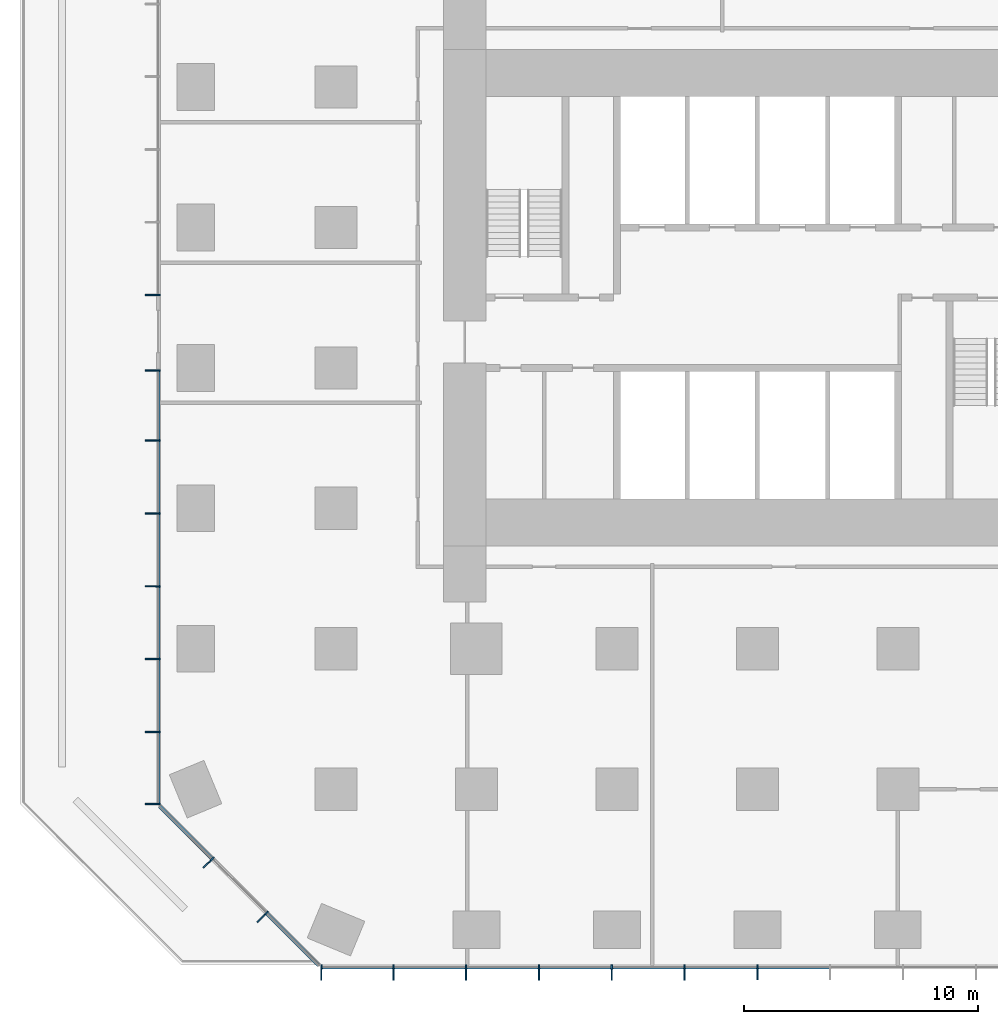
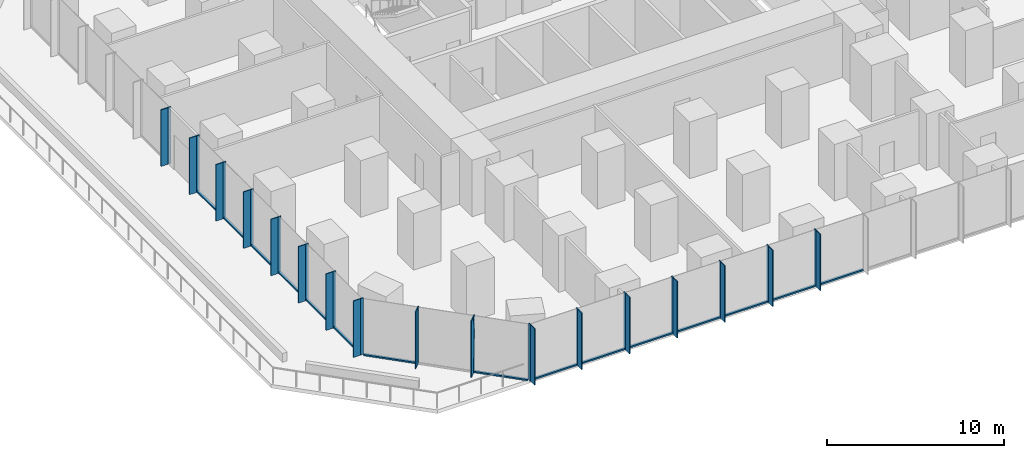
# One storey, part 2 of 12: 49 members, 4 elements without a shape of their own.
"""IFC4 building model written with IfcOpenShell, lengths in metres."""

import ifcopenshell
import ifcopenshell.guid

model = None  # the IFC model being written
_history = None  # IfcOwnerHistory: only IFC2X3 demands one
_inside = {}  # id of a spatial element -> (the spatial element, [elements in it])
_under = {}  # id of a project, library or spatial element -> (it, [spatial elements below it])
_declared = {}  # id of a project -> (the project, [libraries it declares])
_typed = {}  # id of a type object -> (the type object, [elements of that type])
_made_of = {}  # id of a material, layer set ... -> (it, [elements and type objects made of it])


def new_model(schema):
    """Start an empty IFC model of exactly this schema.

    Asked for "IFC4X3", IfcOpenShell would pick the latest addendum, in which some entities
    have other attributes; the version numbers below select the first issue.
    IFC2X3 requires an IfcOwnerHistory on every rooted entity: one is made here for all.
    """
    global model, _history
    if schema == "IFC4X3":
        model = ifcopenshell.file(schema_version=(4, 3, 0, 0))
    else:
        model = ifcopenshell.file(schema=schema)
    _inside.clear()
    _under.clear()
    _declared.clear()
    _typed.clear()
    _made_of.clear()
    _history = None
    if model.schema == "IFC2X3":
        org = make("IfcOrganization", Name="unknown")
        user = make(
            "IfcPersonAndOrganization",
            ThePerson=make("IfcPerson", FamilyName="unknown"),
            TheOrganization=org,
        )
        app = make(
            "IfcApplication",
            ApplicationDeveloper=org,
            Version="unknown",
            ApplicationFullName="unknown",
            ApplicationIdentifier="unknown",
        )
        _history = make(
            "IfcOwnerHistory",
            OwningUser=user,
            OwningApplication=app,
            ChangeAction="ADDED",
            CreationDate=0,
        )
    return model


def make(cls, **values):
    """One entity of the class cls with the attributes given. An attribute that is None is left unset."""
    return model.create_entity(
        cls, **{name: value for name, value in values.items() if value is not None}
    )


def rooted(cls, **values):
    """An entity with a GlobalId (a new one), such as an element, a storey or a relation."""
    return make(cls, GlobalId=ifcopenshell.guid.new(), OwnerHistory=_history, **values)


def si_unit(unit_type, name, prefix=None):
    """IfcSIUnit, for example si_unit("LENGTHUNIT", "METRE", prefix="MILLI")."""
    return make("IfcSIUnit", UnitType=unit_type, Prefix=prefix, Name=name)


def assignment(units):
    """IfcUnitAssignment: the units of a project."""
    return None if units is None else make("IfcUnitAssignment", Units=units)


def point(xyz):
    """IfcCartesianPoint."""
    return None if xyz is None else make("IfcCartesianPoint", Coordinates=xyz)


def direction(xyz):
    """IfcDirection."""
    return None if xyz is None else make("IfcDirection", DirectionRatios=xyz)


def frame(location, z_axis=None, x_axis=None):
    """IfcAxis2Placement3D, a coordinate frame: its origin and axes. An axis left out is left unset."""
    return make(
        "IfcAxis2Placement3D",
        Location=point(location),
        Axis=direction(z_axis),
        RefDirection=direction(x_axis),
    )


def frame_2d(location, x_axis=None):
    """IfcAxis2Placement2D, a coordinate frame in the plane: its origin and x axis."""
    return make(
        "IfcAxis2Placement2D", Location=point(location), RefDirection=direction(x_axis)
    )


def origin():
    """The frame at (0, 0, 0) with its axes left unset."""
    return frame((0.0, 0.0, 0.0))


def origin_2d():
    """The frame at (0, 0) in the plane with its x axis left unset."""
    return frame_2d((0.0, 0.0))


def place(relative_to, where):
    """IfcLocalPlacement: puts the frame where relative to a parent placement (None: the world)."""
    return make(
        "IfcLocalPlacement", PlacementRelTo=relative_to, RelativePlacement=where
    )


def context(
    kind, dimensions, precision=None, world=None, true_north=None, identifier=None
):
    """IfcGeometricRepresentationContext, for example the 3D "Model" context."""
    return make(
        "IfcGeometricRepresentationContext",
        ContextIdentifier=identifier,
        ContextType=kind,
        CoordinateSpaceDimension=dimensions,
        Precision=precision,
        WorldCoordinateSystem=world,
        TrueNorth=true_north,
    )


def subcontext(parent, identifier, kind, view, scale=None):
    """IfcGeometricRepresentationSubContext, for example "Body" below "Model"."""
    return make(
        "IfcGeometricRepresentationSubContext",
        ContextIdentifier=identifier,
        ContextType=kind,
        ParentContext=parent,
        TargetScale=scale,
        TargetView=view,
    )


def project(units=None, contexts=None):
    """IfcProject with its units and contexts."""
    return rooted(
        "IfcProject",
        Name="project",
        RepresentationContexts=contexts,
        UnitsInContext=assignment(units),
    )


def spatial(cls, under=None, at=None, **own):
    """A site, building, storey or space (cls), placed at a placement, below another one or the project."""
    s = rooted(cls, ObjectPlacement=at, **own)
    if under is not None:
        _under.setdefault(under.id(), (under, []))[1].append(s)
    return s


def profile(cls, at=None, kind="AREA", **sizes):
    """A parametric profile (cls). Its sizes go by their IFC names, for example OverallWidth=200.0."""
    return make(cls, ProfileType=kind, Position=at, **sizes)


def rectangle(**sizes):
    """IfcRectangleProfileDef."""
    return profile("IfcRectangleProfileDef", **sizes)


def extrude(swept, where, along, depth):
    """IfcExtrudedAreaSolid: the profile swept, set in the frame where, extruded along a direction by depth."""
    return make(
        "IfcExtrudedAreaSolid",
        SweptArea=swept,
        Position=where,
        ExtrudedDirection=direction(along),
        Depth=depth,
    )


def shape(context_of_items, identifier, shape_type, items):
    """IfcShapeRepresentation: the items that make up one representation, for example the "Body"."""
    return make(
        "IfcShapeRepresentation",
        ContextOfItems=context_of_items,
        RepresentationIdentifier=identifier,
        RepresentationType=shape_type,
        Items=items,
    )


def material(Name=None, Category=None):
    """IfcMaterial."""
    return make("IfcMaterial", Name=Name, Category=Category)


def layer(
    of_material, thickness, ventilated=None, Name=None, Category=None, Priority=None
):
    """IfcMaterialLayer: one layer of a wall or slab, of a material (None: an air gap)."""
    return make(
        "IfcMaterialLayer",
        Material=of_material,
        LayerThickness=thickness,
        IsVentilated=ventilated,
        Name=Name,
        Category=Category,
        Priority=Priority,
    )


def layer_set(layers, Name=None):
    """IfcMaterialLayerSet."""
    return make("IfcMaterialLayerSet", MaterialLayers=layers, LayerSetName=Name)


def material_profile(
    of_material, cross_section, Name=None, Category=None, Priority=None
):
    """IfcMaterialProfile: a cross section and its material."""
    return make(
        "IfcMaterialProfile",
        Name=Name,
        Material=of_material,
        Profile=cross_section,
        Priority=Priority,
        Category=Category,
    )


def profile_set(profiles, Name=None, composite=None):
    """IfcMaterialProfileSet."""
    return make(
        "IfcMaterialProfileSet",
        Name=Name,
        MaterialProfiles=profiles,
        CompositeProfile=composite,
    )


def made_of(thing, what):
    """Note that an element or type object is made of a material, layer set ...; save() writes the relation."""
    if what is not None:
        _made_of.setdefault(what.id(), (what, []))[1].append(thing)
    return thing


def type_object(cls, material=None, **own):
    """A type object (cls), such as IfcWallType, which elements share."""
    return made_of(rooted(cls, **own), material)


def element(
    cls,
    number,
    at=None,
    inside=None,
    cuts=None,
    type_object=None,
    material=None,
    context=None,
    identifier="Body",
    shape_type=None,
    held_by="IfcProductDefinitionShape",
    body=None,
    shapes=None,
    **own,
):
    """One element of the class cls, such as IfcWall. Its Tag is "e" and its number.

    at: its placement. inside: the storey or other place that contains it. cuts: it is an
    opening in that element (IfcRelVoidsElement). A single representation is given by context,
    identifier, shape_type and body (its items); several are given by shapes. held_by: the class
    of the entity that holds the representations. save() writes the other relations.
    """
    e = rooted(cls, Tag="e%d" % number, ObjectPlacement=at, **own)
    if body is not None:
        shapes = [shape(context, identifier, shape_type, body)]
    if shapes is not None:
        e.Representation = make(held_by, Representations=shapes)
    if inside is not None:
        _inside.setdefault(inside.id(), (inside, []))[1].append(e)
    if cuts is not None:
        rooted(
            "IfcRelVoidsElement", RelatingBuildingElement=cuts, RelatedOpeningElement=e
        )
    if type_object is not None:
        _typed.setdefault(type_object.id(), (type_object, []))[1].append(e)
    return made_of(e, material)


def aggregate(whole, parts):
    """IfcRelAggregates: a whole, such as a stair, and the parts it consists of."""
    return rooted("IfcRelAggregates", RelatingObject=whole, RelatedObjects=parts)


def save(model, path):
    """Write the relations noted so far, then the file.

    IfcRelAggregates (storeys below a building ...), IfcRelContainedInSpatialStructure (elements
    in a storey), IfcRelDefinesByType, IfcRelAssociatesMaterial and IfcRelDeclares: one each for
    every whole, place, type object, material and project.
    """
    for whole, parts in _under.values():
        aggregate(whole, parts)
    for where, things in _inside.values():
        rooted(
            "IfcRelContainedInSpatialStructure",
            RelatedElements=things,
            RelatingStructure=where,
        )
    for kind, things in _typed.values():
        rooted("IfcRelDefinesByType", RelatedObjects=things, RelatingType=kind)
    for what, things in _made_of.values():
        rooted("IfcRelAssociatesMaterial", RelatedObjects=things, RelatingMaterial=what)
    for by, libraries in _declared.values():
        rooted("IfcRelDeclares", RelatingContext=by, RelatedDefinitions=libraries)
    model.write(path)


model = new_model("IFC4")

# Units and contexts
model_context = context("Model", 3, precision=1e-05, world=origin(), true_north=direction((0.0, 1.0)))
body_context = subcontext(model_context, "Body", "Model", "MODEL_VIEW")
ifc_project = project(units=[si_unit("LENGTHUNIT", "METRE"), si_unit("AREAUNIT", "SQUARE_METRE"), si_unit("VOLUMEUNIT", "CUBIC_METRE"), si_unit("PLANEANGLEUNIT", "RADIAN"), si_unit("MASSUNIT", "GRAM", prefix="KILO")], contexts=[model_context])

# Site, building, storey
site_placement = place(None, origin())
site = spatial("IfcSite", under=ifc_project, at=site_placement, CompositionType="ELEMENT")
building_placement = place(site_placement, origin())
building = spatial("IfcBuilding", under=site, at=building_placement, Name="Highveld Stack Headquarters", CompositionType="ELEMENT")
storey_placement = place(building_placement, frame((0.0, 0.0, 41.60009765625)))
storey = spatial("IfcBuildingStorey", under=building, at=storey_placement, Name="L09", CompositionType="ELEMENT", Elevation=41.60009765625)

# Curtain wall, members
ifc_material_1 = material(Name="Aluminium bronze anodised", Category="aluminium")
ifc_layer_1 = layer(ifc_material_1, 0.199951171875)
ifc_layer_set_1 = layer_set([ifc_layer_1], Name="Aluminium bronze anodised")
curtain_wall_type_1 = type_object("IfcCurtainWallType", Name="CW1 TOWER UNITISED CURTAIN WALL", PredefinedType="NOTDEFINED", material=ifc_layer_set_1)
curtain_wall_1_placement = place(storey_placement, origin())
curtain_wall_1 = element("IfcCurtainWall", 1, at=curtain_wall_1_placement, inside=storey, type_object=curtain_wall_type_1, Name="Curtain wall CW1 L09 S", PredefinedType="NOTDEFINED")
ifc_material_2 = material(Name="Aluminium bronze anodised", Category="aluminium")
ifc_material_profile_1 = material_profile(ifc_material_2, rectangle(XDim=0.449951171875, YDim=0.06005859375, at=origin_2d()), Name="FIN 450x60")
ifc_profile_set_1 = profile_set([ifc_material_profile_1], Name="Aluminium bronze anodised")
member_type_1 = type_object("IfcMemberType", Name="CW1 BRONZE FIN 450x60", PredefinedType="USERDEFINED", material=ifc_profile_set_1)
member_1_placement = place(storey_placement, frame((-12.630126953125, -25.925048828125, 0.0), z_axis=(0.0, 0.0, 1.0), x_axis=(0.0, 1.0, 0.0)))
member_1 = element("IfcMember", 2, at=member_1_placement, type_object=member_type_1, Name="CW1 fin L09 1", ObjectType="FIN", PredefinedType="USERDEFINED", context=body_context, shape_type="SweptSolid", body=[
    extrude(rectangle(XDim=0.449951171875, YDim=0.06005859375, at=origin_2d()), origin(), (0.0, 0.0, 1.0), 3.89990234375),
])
member_2_placement = place(storey_placement, frame((-9.55224609375, -25.925048828125, 0.0), z_axis=(0.0, 0.0, 1.0), x_axis=(0.0, 1.0, 0.0)))
member_2 = element("IfcMember", 3, at=member_2_placement, type_object=member_type_1, Name="CW1 fin L09 2", ObjectType="FIN", PredefinedType="USERDEFINED", context=body_context, shape_type="SweptSolid", body=[
    extrude(rectangle(XDim=0.449951171875, YDim=0.06005859375, at=origin_2d()), origin(), (0.0, 0.0, 1.0), 3.89990234375),
])
member_3_placement = place(storey_placement, frame((-6.44189453125, -25.925048828125, 0.0), z_axis=(0.0, 0.0, 1.0), x_axis=(0.0, 1.0, 0.0)))
member_3 = element("IfcMember", 4, at=member_3_placement, type_object=member_type_1, Name="CW1 fin L09 3", ObjectType="FIN", PredefinedType="USERDEFINED", context=body_context, shape_type="SweptSolid", body=[
    extrude(rectangle(XDim=0.449951171875, YDim=0.06005859375, at=origin_2d()), origin(), (0.0, 0.0, 1.0), 3.89990234375),
])
member_4_placement = place(storey_placement, frame((-3.331298828125, -25.925048828125, 0.0), z_axis=(0.0, 0.0, 1.0), x_axis=(0.0, 1.0, 0.0)))
member_4 = element("IfcMember", 5, at=member_4_placement, type_object=member_type_1, Name="CW1 fin L09 4", ObjectType="FIN", PredefinedType="USERDEFINED", context=body_context, shape_type="SweptSolid", body=[
    extrude(rectangle(XDim=0.449951171875, YDim=0.06005859375, at=origin_2d()), origin(), (0.0, 0.0, 1.0), 3.89990234375),
])
member_5_placement = place(storey_placement, frame((-0.220947265625, -25.925048828125, 0.0), z_axis=(0.0, 0.0, 1.0), x_axis=(0.0, 1.0, 0.0)))
member_5 = element("IfcMember", 6, at=member_5_placement, type_object=member_type_1, Name="CW1 fin L09 5", ObjectType="FIN", PredefinedType="USERDEFINED", context=body_context, shape_type="SweptSolid", body=[
    extrude(rectangle(XDim=0.449951171875, YDim=0.06005859375, at=origin_2d()), origin(), (0.0, 0.0, 1.0), 3.89990234375),
])
member_6_placement = place(storey_placement, frame((2.8896484375, -25.925048828125, 0.0), z_axis=(0.0, 0.0, 1.0), x_axis=(0.0, 1.0, 0.0)))
member_6 = element("IfcMember", 7, at=member_6_placement, type_object=member_type_1, Name="CW1 fin L09 6", ObjectType="FIN", PredefinedType="USERDEFINED", context=body_context, shape_type="SweptSolid", body=[
    extrude(rectangle(XDim=0.449951171875, YDim=0.06005859375, at=origin_2d()), origin(), (0.0, 0.0, 1.0), 3.89990234375),
])
member_7_placement = place(storey_placement, frame((6.0, -25.925048828125, 0.0), z_axis=(0.0, 0.0, 1.0), x_axis=(0.0, 1.0, 0.0)))
member_7 = element("IfcMember", 8, at=member_7_placement, type_object=member_type_1, Name="CW1 fin L09 7", ObjectType="FIN", PredefinedType="USERDEFINED", context=body_context, shape_type="SweptSolid", body=[
    extrude(rectangle(XDim=0.449951171875, YDim=0.06005859375, at=origin_2d()), origin(), (0.0, 0.0, 1.0), 3.89990234375),
])

# Curtain wall, member
curtain_wall_2_placement = place(storey_placement, origin())
curtain_wall_2 = element("IfcCurtainWall", 9, at=curtain_wall_2_placement, inside=storey, type_object=curtain_wall_type_1, Name="Curtain wall CW1 L09 W-1", PredefinedType="NOTDEFINED")
member_8_placement = place(storey_placement, frame((-19.925048828125, 3.110595703125, 0.0), z_axis=(0.0, 0.0, 1.0), x_axis=(1.0, 0.0, 0.0)))
member_8 = element("IfcMember", 10, at=member_8_placement, type_object=member_type_1, Name="CW1 fin L09 6", ObjectType="FIN", PredefinedType="USERDEFINED", context=body_context, shape_type="SweptSolid", body=[
    extrude(rectangle(XDim=0.449951171875, YDim=0.06005859375, at=origin_2d()), origin(), (0.0, 0.0, 1.0), 3.89990234375),
])

# Curtain wall, members
curtain_wall_3_placement = place(storey_placement, origin())
curtain_wall_3 = element("IfcCurtainWall", 11, at=curtain_wall_3_placement, inside=storey, type_object=curtain_wall_type_1, Name="Curtain wall CW1 L09 W-2", PredefinedType="NOTDEFINED")
member_9_placement = place(storey_placement, frame((-19.925048828125, -0.107421875, 0.0), z_axis=(0.0, 0.0, 1.0), x_axis=(1.0, 0.0, 0.0)))
member_9 = element("IfcMember", 12, at=member_9_placement, type_object=member_type_1, Name="CW1 fin L09 1", ObjectType="FIN", PredefinedType="USERDEFINED", context=body_context, shape_type="SweptSolid", body=[
    extrude(rectangle(XDim=0.449951171875, YDim=0.06005859375, at=origin_2d()), origin(), (0.0, 0.0, 1.0), 3.89990234375),
])
member_10_placement = place(storey_placement, frame((-19.925048828125, -3.110595703125, 0.0), z_axis=(0.0, 0.0, 1.0), x_axis=(1.0, 0.0, 0.0)))
member_10 = element("IfcMember", 13, at=member_10_placement, type_object=member_type_1, Name="CW1 fin L09 2", ObjectType="FIN", PredefinedType="USERDEFINED", context=body_context, shape_type="SweptSolid", body=[
    extrude(rectangle(XDim=0.449951171875, YDim=0.06005859375, at=origin_2d()), origin(), (0.0, 0.0, 1.0), 3.89990234375),
])
member_11_placement = place(storey_placement, frame((-19.925048828125, -6.220947265625, 0.0), z_axis=(0.0, 0.0, 1.0), x_axis=(1.0, 0.0, 0.0)))
member_11 = element("IfcMember", 14, at=member_11_placement, type_object=member_type_1, Name="CW1 fin L09 3", ObjectType="FIN", PredefinedType="USERDEFINED", context=body_context, shape_type="SweptSolid", body=[
    extrude(rectangle(XDim=0.449951171875, YDim=0.06005859375, at=origin_2d()), origin(), (0.0, 0.0, 1.0), 3.89990234375),
])
member_12_placement = place(storey_placement, frame((-19.925048828125, -9.331298828125, 0.0), z_axis=(0.0, 0.0, 1.0), x_axis=(1.0, 0.0, 0.0)))
member_12 = element("IfcMember", 15, at=member_12_placement, type_object=member_type_1, Name="CW1 fin L09 4", ObjectType="FIN", PredefinedType="USERDEFINED", context=body_context, shape_type="SweptSolid", body=[
    extrude(rectangle(XDim=0.449951171875, YDim=0.06005859375, at=origin_2d()), origin(), (0.0, 0.0, 1.0), 3.89990234375),
])
member_13_placement = place(storey_placement, frame((-19.925048828125, -12.44189453125, 0.0), z_axis=(0.0, 0.0, 1.0), x_axis=(1.0, 0.0, 0.0)))
member_13 = element("IfcMember", 16, at=member_13_placement, type_object=member_type_1, Name="CW1 fin L09 5", ObjectType="FIN", PredefinedType="USERDEFINED", context=body_context, shape_type="SweptSolid", body=[
    extrude(rectangle(XDim=0.449951171875, YDim=0.06005859375, at=origin_2d()), origin(), (0.0, 0.0, 1.0), 3.89990234375),
])
member_14_placement = place(storey_placement, frame((-19.925048828125, -15.55224609375, 0.0), z_axis=(0.0, 0.0, 1.0), x_axis=(1.0, 0.0, 0.0)))
member_14 = element("IfcMember", 17, at=member_14_placement, type_object=member_type_1, Name="CW1 fin L09 6", ObjectType="FIN", PredefinedType="USERDEFINED", context=body_context, shape_type="SweptSolid", body=[
    extrude(rectangle(XDim=0.449951171875, YDim=0.06005859375, at=origin_2d()), origin(), (0.0, 0.0, 1.0), 3.89990234375),
])
member_15_placement = place(storey_placement, frame((-19.925048828125, -18.630126953125, 0.0), z_axis=(0.0, 0.0, 1.0), x_axis=(1.0, 0.0, 0.0)))
member_15 = element("IfcMember", 18, at=member_15_placement, type_object=member_type_1, Name="CW1 fin L09 7", ObjectType="FIN", PredefinedType="USERDEFINED", context=body_context, shape_type="SweptSolid", body=[
    extrude(rectangle(XDim=0.449951171875, YDim=0.06005859375, at=origin_2d()), origin(), (0.0, 0.0, 1.0), 3.89990234375),
])

# Member
ifc_material_3 = material(Name="Aluminium bronze anodised", Category="aluminium")
ifc_material_profile_2 = material_profile(ifc_material_3, rectangle(XDim=0.199951171875, YDim=0.06494140625, at=origin_2d()), Name="CW1 MULLION 65x200")
ifc_profile_set_2 = profile_set([ifc_material_profile_2], Name="Aluminium bronze anodised")
member_type_2 = type_object("IfcMemberType", Name="CW1 MULLION 65x200", PredefinedType="MULLION", material=ifc_profile_set_2)
member_16_placement = place(storey_placement, frame((-12.630126953125, -25.60009765625, 0.0), z_axis=(0.0, 0.0, 1.0), x_axis=(0.0, 1.0, 0.0)))
member_16 = element("IfcMember", 19, at=member_16_placement, type_object=member_type_2, Name="CW1 mullion L09 1", PredefinedType="MULLION", context=body_context, shape_type="SweptSolid", body=[
    extrude(rectangle(XDim=0.199951171875, YDim=0.06494140625, at=origin_2d()), origin(), (0.0, 0.0, 1.0), 3.89990234375),
])

member_17_placement = place(storey_placement, frame((-9.55224609375, -25.60009765625, 0.0), z_axis=(0.0, 0.0, 1.0), x_axis=(0.0, 1.0, 0.0)))
member_17 = element("IfcMember", 20, at=member_17_placement, type_object=member_type_2, Name="CW1 mullion L09 2", PredefinedType="MULLION", context=body_context, shape_type="SweptSolid", body=[
    extrude(rectangle(XDim=0.199951171875, YDim=0.06494140625, at=origin_2d()), origin(), (0.0, 0.0, 1.0), 3.89990234375),
])

member_18_placement = place(storey_placement, frame((-6.44189453125, -25.60009765625, 0.0), z_axis=(0.0, 0.0, 1.0), x_axis=(0.0, 1.0, 0.0)))
member_18 = element("IfcMember", 21, at=member_18_placement, type_object=member_type_2, Name="CW1 mullion L09 3", PredefinedType="MULLION", context=body_context, shape_type="SweptSolid", body=[
    extrude(rectangle(XDim=0.199951171875, YDim=0.06494140625, at=origin_2d()), origin(), (0.0, 0.0, 1.0), 3.89990234375),
])

member_19_placement = place(storey_placement, frame((-3.331298828125, -25.60009765625, 0.0), z_axis=(0.0, 0.0, 1.0), x_axis=(0.0, 1.0, 0.0)))
member_19 = element("IfcMember", 22, at=member_19_placement, type_object=member_type_2, Name="CW1 mullion L09 4", PredefinedType="MULLION", context=body_context, shape_type="SweptSolid", body=[
    extrude(rectangle(XDim=0.199951171875, YDim=0.06494140625, at=origin_2d()), origin(), (0.0, 0.0, 1.0), 3.89990234375),
])

member_20_placement = place(storey_placement, frame((-0.220947265625, -25.60009765625, 0.0), z_axis=(0.0, 0.0, 1.0), x_axis=(0.0, 1.0, 0.0)))
member_20 = element("IfcMember", 23, at=member_20_placement, type_object=member_type_2, Name="CW1 mullion L09 5", PredefinedType="MULLION", context=body_context, shape_type="SweptSolid", body=[
    extrude(rectangle(XDim=0.199951171875, YDim=0.06494140625, at=origin_2d()), origin(), (0.0, 0.0, 1.0), 3.89990234375),
])

member_21_placement = place(storey_placement, frame((2.8896484375, -25.60009765625, 0.0), z_axis=(0.0, 0.0, 1.0), x_axis=(0.0, 1.0, 0.0)))
member_21 = element("IfcMember", 24, at=member_21_placement, type_object=member_type_2, Name="CW1 mullion L09 6", PredefinedType="MULLION", context=body_context, shape_type="SweptSolid", body=[
    extrude(rectangle(XDim=0.199951171875, YDim=0.06494140625, at=origin_2d()), origin(), (0.0, 0.0, 1.0), 3.89990234375),
])

member_22_placement = place(storey_placement, frame((6.0, -25.60009765625, 0.0), z_axis=(0.0, 0.0, 1.0), x_axis=(0.0, 1.0, 0.0)))
member_22 = element("IfcMember", 25, at=member_22_placement, type_object=member_type_2, Name="CW1 mullion L09 7", PredefinedType="MULLION", context=body_context, shape_type="SweptSolid", body=[
    extrude(rectangle(XDim=0.199951171875, YDim=0.06494140625, at=origin_2d()), origin(), (0.0, 0.0, 1.0), 3.89990234375),
])

member_23_placement = place(storey_placement, frame((-19.60009765625, 3.110595703125, 0.0), z_axis=(0.0, 0.0, 1.0), x_axis=(1.0, 0.0, 0.0)))
member_23 = element("IfcMember", 26, at=member_23_placement, type_object=member_type_2, Name="CW1 mullion L09 6", PredefinedType="MULLION", context=body_context, shape_type="SweptSolid", body=[
    extrude(rectangle(XDim=0.199951171875, YDim=0.06494140625, at=origin_2d()), origin(), (0.0, 0.0, 1.0), 3.89990234375),
])

aggregate(curtain_wall_2, [member_23, member_8])

member_24_placement = place(storey_placement, frame((-19.60009765625, -0.107421875, 0.0), z_axis=(0.0, 0.0, 1.0), x_axis=(1.0, 0.0, 0.0)))
member_24 = element("IfcMember", 27, at=member_24_placement, type_object=member_type_2, Name="CW1 mullion L09 1", PredefinedType="MULLION", context=body_context, shape_type="SweptSolid", body=[
    extrude(rectangle(XDim=0.199951171875, YDim=0.06494140625, at=origin_2d()), origin(), (0.0, 0.0, 1.0), 3.89990234375),
])

member_25_placement = place(storey_placement, frame((-19.60009765625, -3.110595703125, 0.0), z_axis=(0.0, 0.0, 1.0), x_axis=(1.0, 0.0, 0.0)))
member_25 = element("IfcMember", 28, at=member_25_placement, type_object=member_type_2, Name="CW1 mullion L09 2", PredefinedType="MULLION", context=body_context, shape_type="SweptSolid", body=[
    extrude(rectangle(XDim=0.199951171875, YDim=0.06494140625, at=origin_2d()), origin(), (0.0, 0.0, 1.0), 3.89990234375),
])

member_26_placement = place(storey_placement, frame((-19.60009765625, -6.220947265625, 0.0), z_axis=(0.0, 0.0, 1.0), x_axis=(1.0, 0.0, 0.0)))
member_26 = element("IfcMember", 29, at=member_26_placement, type_object=member_type_2, Name="CW1 mullion L09 3", PredefinedType="MULLION", context=body_context, shape_type="SweptSolid", body=[
    extrude(rectangle(XDim=0.199951171875, YDim=0.06494140625, at=origin_2d()), origin(), (0.0, 0.0, 1.0), 3.89990234375),
])

member_27_placement = place(storey_placement, frame((-19.60009765625, -9.331298828125, 0.0), z_axis=(0.0, 0.0, 1.0), x_axis=(1.0, 0.0, 0.0)))
member_27 = element("IfcMember", 30, at=member_27_placement, type_object=member_type_2, Name="CW1 mullion L09 4", PredefinedType="MULLION", context=body_context, shape_type="SweptSolid", body=[
    extrude(rectangle(XDim=0.199951171875, YDim=0.06494140625, at=origin_2d()), origin(), (0.0, 0.0, 1.0), 3.89990234375),
])

member_28_placement = place(storey_placement, frame((-19.60009765625, -12.44189453125, 0.0), z_axis=(0.0, 0.0, 1.0), x_axis=(1.0, 0.0, 0.0)))
member_28 = element("IfcMember", 31, at=member_28_placement, type_object=member_type_2, Name="CW1 mullion L09 5", PredefinedType="MULLION", context=body_context, shape_type="SweptSolid", body=[
    extrude(rectangle(XDim=0.199951171875, YDim=0.06494140625, at=origin_2d()), origin(), (0.0, 0.0, 1.0), 3.89990234375),
])

member_29_placement = place(storey_placement, frame((-19.60009765625, -15.55224609375, 0.0), z_axis=(0.0, 0.0, 1.0), x_axis=(1.0, 0.0, 0.0)))
member_29 = element("IfcMember", 32, at=member_29_placement, type_object=member_type_2, Name="CW1 mullion L09 6", PredefinedType="MULLION", context=body_context, shape_type="SweptSolid", body=[
    extrude(rectangle(XDim=0.199951171875, YDim=0.06494140625, at=origin_2d()), origin(), (0.0, 0.0, 1.0), 3.89990234375),
])

member_30_placement = place(storey_placement, frame((-19.60009765625, -18.630126953125, 0.0), z_axis=(0.0, 0.0, 1.0), x_axis=(1.0, 0.0, 0.0)))
member_30 = element("IfcMember", 33, at=member_30_placement, type_object=member_type_2, Name="CW1 mullion L09 7", PredefinedType="MULLION", context=body_context, shape_type="SweptSolid", body=[
    extrude(rectangle(XDim=0.199951171875, YDim=0.06494140625, at=origin_2d()), origin(), (0.0, 0.0, 1.0), 3.89990234375),
])

ifc_material_4 = material(Name="Aluminium bronze anodised", Category="aluminium")
ifc_material_profile_3 = material_profile(ifc_material_4, rectangle(XDim=0.14990234375, YDim=0.10009765625, at=origin_2d()), Name="CW1 TRANSOM 150x100")
ifc_profile_set_3 = profile_set([ifc_material_profile_3], Name="Aluminium bronze anodised")
member_type_3 = type_object("IfcMemberType", Name="CW1 STACK TRANSOM 150x100", PredefinedType="USERDEFINED", material=ifc_profile_set_3)
member_31_placement = place(storey_placement, frame((-12.59765625, -25.60009765625, 0.0498046875), z_axis=(1.0, 0.0, 0.0), x_axis=(0.0, 1.0, 0.0)))
member_31 = element("IfcMember", 34, at=member_31_placement, type_object=member_type_3, Name="CW1 transom L09 1.1", ObjectType="TRANSOM", PredefinedType="USERDEFINED", context=body_context, shape_type="SweptSolid", body=[
    extrude(rectangle(XDim=0.14990234375, YDim=0.10009765625, at=origin_2d()), origin(), (0.0, 0.0, 1.0), 3.012939453125),
])

member_32_placement = place(storey_placement, frame((-9.519775390625, -25.60009765625, 0.0498046875), z_axis=(1.0, 0.0, 0.0), x_axis=(0.0, 1.0, 0.0)))
member_32 = element("IfcMember", 35, at=member_32_placement, type_object=member_type_3, Name="CW1 transom L09 2.1", ObjectType="TRANSOM", PredefinedType="USERDEFINED", context=body_context, shape_type="SweptSolid", body=[
    extrude(rectangle(XDim=0.14990234375, YDim=0.10009765625, at=origin_2d()), origin(), (0.0, 0.0, 1.0), 3.04541015625),
])

member_33_placement = place(storey_placement, frame((-6.4091796875, -25.60009765625, 0.0498046875), z_axis=(1.0, 0.0, 0.0), x_axis=(0.0, 1.0, 0.0)))
member_33 = element("IfcMember", 36, at=member_33_placement, type_object=member_type_3, Name="CW1 transom L09 3.1", ObjectType="TRANSOM", PredefinedType="USERDEFINED", context=body_context, shape_type="SweptSolid", body=[
    extrude(rectangle(XDim=0.14990234375, YDim=0.10009765625, at=origin_2d()), origin(), (0.0, 0.0, 1.0), 3.04541015625),
])

member_34_placement = place(storey_placement, frame((-3.298828125, -25.60009765625, 0.0498046875), z_axis=(1.0, 0.0, 0.0), x_axis=(0.0, 1.0, 0.0)))
member_34 = element("IfcMember", 37, at=member_34_placement, type_object=member_type_3, Name="CW1 transom L09 4.1", ObjectType="TRANSOM", PredefinedType="USERDEFINED", context=body_context, shape_type="SweptSolid", body=[
    extrude(rectangle(XDim=0.14990234375, YDim=0.10009765625, at=origin_2d()), origin(), (0.0, 0.0, 1.0), 3.04541015625),
])

member_35_placement = place(storey_placement, frame((-0.1884765625, -25.60009765625, 0.0498046875), z_axis=(1.0, 0.0, 0.0), x_axis=(0.0, 1.0, 0.0)))
member_35 = element("IfcMember", 38, at=member_35_placement, type_object=member_type_3, Name="CW1 transom L09 5.1", ObjectType="TRANSOM", PredefinedType="USERDEFINED", context=body_context, shape_type="SweptSolid", body=[
    extrude(rectangle(XDim=0.14990234375, YDim=0.10009765625, at=origin_2d()), origin(), (0.0, 0.0, 1.0), 3.045654296875),
])

member_36_placement = place(storey_placement, frame((2.922119140625, -25.60009765625, 0.0498046875), z_axis=(1.0, 0.0, 0.0), x_axis=(0.0, 1.0, 0.0)))
member_36 = element("IfcMember", 39, at=member_36_placement, type_object=member_type_3, Name="CW1 transom L09 6.1", ObjectType="TRANSOM", PredefinedType="USERDEFINED", context=body_context, shape_type="SweptSolid", body=[
    extrude(rectangle(XDim=0.14990234375, YDim=0.10009765625, at=origin_2d()), origin(), (0.0, 0.0, 1.0), 3.04541015625),
])

member_37_placement = place(storey_placement, frame((6.032470703125, -25.60009765625, 0.0498046875), z_axis=(1.0, 0.0, 0.0), x_axis=(0.0, 1.0, 0.0)))
member_37 = element("IfcMember", 40, at=member_37_placement, type_object=member_type_3, Name="CW1 transom L09 7.1", ObjectType="TRANSOM", PredefinedType="USERDEFINED", context=body_context, shape_type="SweptSolid", body=[
    extrude(rectangle(XDim=0.14990234375, YDim=0.10009765625, at=origin_2d()), origin(), (0.0, 0.0, 1.0), 3.04541015625),
])

aggregate(curtain_wall_1, [member_16, member_1, member_17, member_2, member_18, member_3, member_19, member_4, member_20, member_5, member_21, member_6, member_22, member_7, member_31, member_32, member_33, member_34, member_35, member_36, member_37])

member_38_placement = place(storey_placement, frame((-19.60009765625, -0.139892578125, 0.0498046875), z_axis=(0.0, -1.0, 0.0), x_axis=(1.0, 0.0, 0.0)))
member_38 = element("IfcMember", 41, at=member_38_placement, type_object=member_type_3, Name="CW1 transom L09 7.1", ObjectType="TRANSOM", PredefinedType="USERDEFINED", context=body_context, shape_type="SweptSolid", body=[
    extrude(rectangle(XDim=0.14990234375, YDim=0.10009765625, at=origin_2d()), origin(), (0.0, 0.0, 1.0), 2.93798828125),
])

member_39_placement = place(storey_placement, frame((-19.60009765625, -3.142822265625, 0.0498046875), z_axis=(0.0, -1.0, 0.0), x_axis=(1.0, 0.0, 0.0)))
member_39 = element("IfcMember", 42, at=member_39_placement, type_object=member_type_3, Name="CW1 transom L09 8.1", ObjectType="TRANSOM", PredefinedType="USERDEFINED", context=body_context, shape_type="SweptSolid", body=[
    extrude(rectangle(XDim=0.14990234375, YDim=0.10009765625, at=origin_2d()), origin(), (0.0, 0.0, 1.0), 3.045654296875),
])

member_40_placement = place(storey_placement, frame((-19.60009765625, -6.25341796875, 0.0498046875), z_axis=(0.0, -1.0, 0.0), x_axis=(1.0, 0.0, 0.0)))
member_40 = element("IfcMember", 43, at=member_40_placement, type_object=member_type_3, Name="CW1 transom L09 9.1", ObjectType="TRANSOM", PredefinedType="USERDEFINED", context=body_context, shape_type="SweptSolid", body=[
    extrude(rectangle(XDim=0.14990234375, YDim=0.10009765625, at=origin_2d()), origin(), (0.0, 0.0, 1.0), 3.04541015625),
])

member_41_placement = place(storey_placement, frame((-19.60009765625, -9.36376953125, 0.0498046875), z_axis=(0.0, -1.0, 0.0), x_axis=(1.0, 0.0, 0.0)))
member_41 = element("IfcMember", 44, at=member_41_placement, type_object=member_type_3, Name="CW1 transom L09 10.1", ObjectType="TRANSOM", PredefinedType="USERDEFINED", context=body_context, shape_type="SweptSolid", body=[
    extrude(rectangle(XDim=0.14990234375, YDim=0.10009765625, at=origin_2d()), origin(), (0.0, 0.0, 1.0), 3.04541015625),
])

member_42_placement = place(storey_placement, frame((-19.60009765625, -12.474365234375, 0.0498046875), z_axis=(0.0, -1.0, 0.0), x_axis=(1.0, 0.0, 0.0)))
member_42 = element("IfcMember", 45, at=member_42_placement, type_object=member_type_3, Name="CW1 transom L09 11.1", ObjectType="TRANSOM", PredefinedType="USERDEFINED", context=body_context, shape_type="SweptSolid", body=[
    extrude(rectangle(XDim=0.14990234375, YDim=0.10009765625, at=origin_2d()), origin(), (0.0, 0.0, 1.0), 3.04541015625),
])

member_43_placement = place(storey_placement, frame((-19.60009765625, -15.584716796875, 0.0498046875), z_axis=(0.0, -1.0, 0.0), x_axis=(1.0, 0.0, 0.0)))
member_43 = element("IfcMember", 46, at=member_43_placement, type_object=member_type_3, Name="CW1 transom L09 12.1", ObjectType="TRANSOM", PredefinedType="USERDEFINED", context=body_context, shape_type="SweptSolid", body=[
    extrude(rectangle(XDim=0.14990234375, YDim=0.10009765625, at=origin_2d()), origin(), (0.0, 0.0, 1.0), 3.012939453125),
])

aggregate(curtain_wall_3, [member_24, member_9, member_25, member_10, member_26, member_11, member_27, member_12, member_28, member_13, member_29, member_14, member_30, member_15, member_38, member_39, member_40, member_41, member_42, member_43])

# Curtain wall, members
ifc_material_5 = material(Name="Aluminium bronze anodised", Category="aluminium")
ifc_layer_2 = layer(ifc_material_5, 0.199951171875)
ifc_layer_set_2 = layer_set([ifc_layer_2], Name="Aluminium bronze anodised")
curtain_wall_type_2 = type_object("IfcCurtainWallType", Name="CW2 TOWER CHAMFER UNITISED CURTAIN WALL", PredefinedType="NOTDEFINED", material=ifc_layer_set_2)
curtain_wall_4_placement = place(storey_placement, origin())
curtain_wall_4 = element("IfcCurtainWall", 47, at=curtain_wall_4_placement, inside=storey, type_object=curtain_wall_type_2, Name="Curtain wall CW2 L09 SW", PredefinedType="NOTDEFINED")
ifc_material_6 = material(Name="Aluminium bronze anodised", Category="aluminium")
ifc_material_profile_4 = material_profile(ifc_material_6, rectangle(XDim=0.449951171875, YDim=0.06005859375, at=origin_2d()), Name="FIN 450x60")
ifc_profile_set_4 = profile_set([ifc_material_profile_4], Name="Aluminium bronze anodised")
member_type_4 = type_object("IfcMemberType", Name="CW2 BRONZE FIN 450x60", PredefinedType="USERDEFINED", material=ifc_profile_set_4)
member_44_placement = place(storey_placement, frame((-17.517333984375, -21.204833984375, 0.0), z_axis=(0.0, 0.0, 1.0), x_axis=(0.707106781187, 0.707106781187, 0.0)))
member_44 = element("IfcMember", 48, at=member_44_placement, type_object=member_type_4, Name="CW2 fin L09 1", ObjectType="FIN", PredefinedType="USERDEFINED", context=body_context, shape_type="SweptSolid", body=[
    extrude(rectangle(XDim=0.449951171875, YDim=0.06005859375, at=origin_2d()), origin(), (0.0, 0.0, 1.0), 3.89990234375),
])
member_45_placement = place(storey_placement, frame((-15.204833984375, -23.517333984375, 0.0), z_axis=(0.0, 0.0, 1.0), x_axis=(0.707106781187, 0.707106781187, 0.0)))
member_45 = element("IfcMember", 49, at=member_45_placement, type_object=member_type_4, Name="CW2 fin L09 2", ObjectType="FIN", PredefinedType="USERDEFINED", context=body_context, shape_type="SweptSolid", body=[
    extrude(rectangle(XDim=0.449951171875, YDim=0.06005859375, at=origin_2d()), origin(), (0.0, 0.0, 1.0), 3.89990234375),
])
ifc_material_7 = material(Name="Aluminium bronze anodised", Category="aluminium")
ifc_material_profile_5 = material_profile(ifc_material_7, rectangle(XDim=0.199951171875, YDim=0.06494140625, at=origin_2d()), Name="CW2 MULLION 65x200")
ifc_profile_set_5 = profile_set([ifc_material_profile_5], Name="Aluminium bronze anodised")
member_type_5 = type_object("IfcMemberType", Name="CW2 MULLION 65x200", PredefinedType="MULLION", material=ifc_profile_set_5)
member_46_placement = place(storey_placement, frame((-17.28759765625, -20.97509765625, 0.0), z_axis=(0.0, 0.0, 1.0), x_axis=(0.707106781187, 0.707106781187, 0.0)))
member_46 = element("IfcMember", 50, at=member_46_placement, type_object=member_type_5, Name="CW2 mullion L09 1", PredefinedType="MULLION", context=body_context, shape_type="SweptSolid", body=[
    extrude(rectangle(XDim=0.199951171875, YDim=0.06494140625, at=origin_2d()), origin(), (0.0, 0.0, 1.0), 3.89990234375),
])
member_47_placement = place(storey_placement, frame((-14.97509765625, -23.28759765625, 0.0), z_axis=(0.0, 0.0, 1.0), x_axis=(0.707106781187, 0.707106781187, 0.0)))
member_47 = element("IfcMember", 51, at=member_47_placement, type_object=member_type_5, Name="CW2 mullion L09 2", PredefinedType="MULLION", context=body_context, shape_type="SweptSolid", body=[
    extrude(rectangle(XDim=0.199951171875, YDim=0.06494140625, at=origin_2d()), origin(), (0.0, 0.0, 1.0), 3.89990234375),
])
ifc_material_8 = material(Name="Aluminium bronze anodised", Category="aluminium")
ifc_material_profile_6 = material_profile(ifc_material_8, rectangle(XDim=0.14990234375, YDim=0.10009765625, at=origin_2d()), Name="CW2 TRANSOM 150x100")
ifc_profile_set_6 = profile_set([ifc_material_profile_6], Name="Aluminium bronze anodised")
member_type_6 = type_object("IfcMemberType", Name="CW2 STACK TRANSOM 150x100", PredefinedType="USERDEFINED", material=ifc_profile_set_6)
member_48_placement = place(storey_placement, frame((-19.529296875, -18.7333984375, 0.0498046875), z_axis=(0.707106781187, -0.707106781187, 0.0), x_axis=(0.707106781187, 0.707106781187, 0.0)))
member_48 = element("IfcMember", 52, at=member_48_placement, type_object=member_type_6, Name="CW2 transom L09 1.1", ObjectType="TRANSOM", PredefinedType="USERDEFINED", context=body_context, shape_type="SweptSolid", body=[
    extrude(rectangle(XDim=0.14990234375, YDim=0.10009765625, at=origin_2d()), origin(), (0.0, 0.0, 1.0), 3.1376953125),
])
member_49_placement = place(storey_placement, frame((-14.9521484375, -23.310546875, 0.0498046875), z_axis=(0.707106781187, -0.707106781187, 0.0), x_axis=(0.707106781187, 0.707106781187, 0.0)))
member_49 = element("IfcMember", 53, at=member_49_placement, type_object=member_type_6, Name="CW2 transom L09 3.1", ObjectType="TRANSOM", PredefinedType="USERDEFINED", context=body_context, shape_type="SweptSolid", body=[
    extrude(rectangle(XDim=0.14990234375, YDim=0.10009765625, at=origin_2d()), origin(), (0.0, 0.0, 1.0), 3.1376953125),
])
aggregate(curtain_wall_4, [member_46, member_44, member_47, member_45, member_48, member_49])

save(model, "model.ifc")
